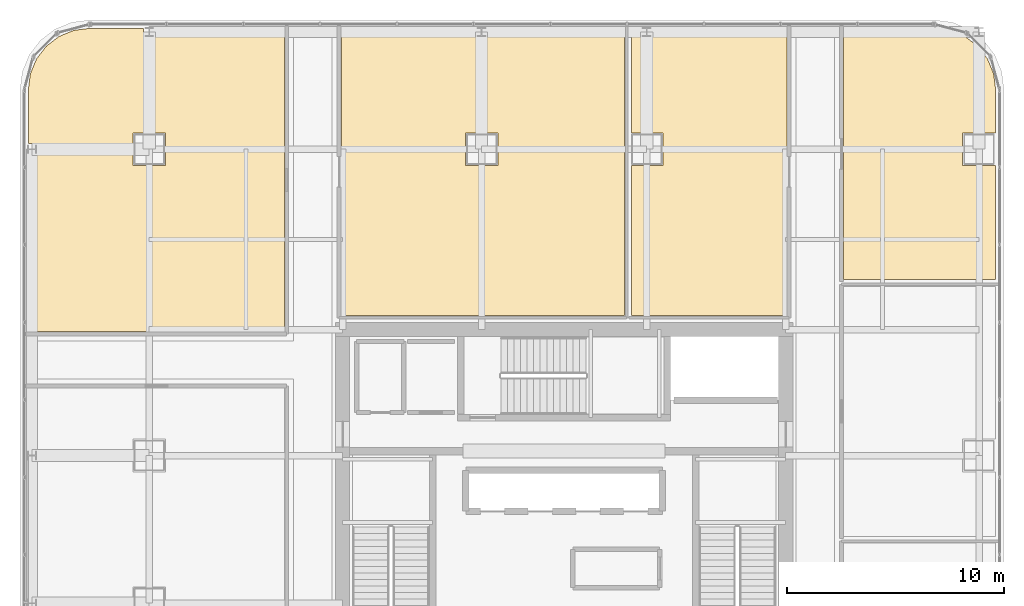
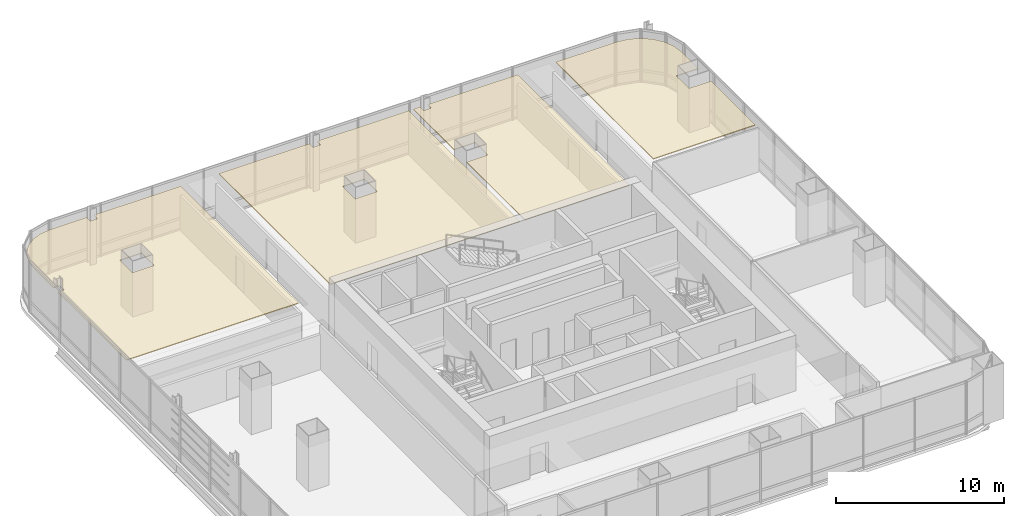
# One storey, part 38 of 38: 4 coverings.
"""IFC4 building model written with IfcOpenShell, lengths in metres."""

from ifc_helpers import new_model, si_unit, direction, frame, origin, place, context, subcontext, project, spatial, polyline, outline, extrude, material, layer, layer_set, type_object, element, save


model = new_model("IFC4")

# Units and contexts
model_context = context("Model", 3, precision=1e-05, world=origin(), true_north=direction((0.0, 1.0)))
body_context = subcontext(model_context, "Body", "Model", "MODEL_VIEW")
ifc_project = project(units=[si_unit("LENGTHUNIT", "METRE"), si_unit("AREAUNIT", "SQUARE_METRE"), si_unit("VOLUMEUNIT", "CUBIC_METRE"), si_unit("PLANEANGLEUNIT", "RADIAN"), si_unit("MASSUNIT", "GRAM", prefix="KILO")], contexts=[model_context])

# Site, building, storey
site_placement = place(None, origin())
site = spatial("IfcSite", under=ifc_project, at=site_placement, CompositionType="ELEMENT")
building_placement = place(site_placement, origin())
building = spatial("IfcBuilding", under=site, at=building_placement, Name="Punatoya Terracotta Tower", CompositionType="ELEMENT")
storey_placement = place(building_placement, frame((0.0, 0.0, 160.050048828125)))
storey = spatial("IfcBuildingStorey", under=building, at=storey_placement, Name="L37", CompositionType="ELEMENT", Elevation=160.050048828125)

# Coverings
ifc_material = material(Name="Acoustic Mineral Fibre Ceiling")
ifc_layer = layer(ifc_material, 0.06005859375)
ifc_layer_set = layer_set([ifc_layer], Name="Acoustic Mineral Fibre Ceiling")
covering_type = type_object("IfcCoveringType", Name="COV-CEIL-60", PredefinedType="CEILING", material=ifc_layer_set)
covering_1_placement = place(storey_placement, frame((0.0, 0.0, 3.219970703125)))
element("IfcCovering", 1, at=covering_1_placement, inside=storey, type_object=covering_type, Name="L37 Wellness Focus Room Acoustic Ceiling", PredefinedType="CEILING", context=body_context, shape_type="SweptSolid", body=[
    extrude(outline(polyline([(-12.8701171875, 23.070068359375), (-18.845458984375, 23.070068359375), (-18.845458984375, 22.637451171875), (-19.3544921875, 22.637451171875), (-19.3544921875, 23.070068359375), (-21.8251953125, 23.070068359375), (-22.5791015625, 22.970703125), (-23.25830078125, 22.689453125), (-23.841796875, 22.24169921875), (-24.289306640625, 21.658203125), (-24.57080078125, 20.97900390625), (-24.669921875, 20.22509765625), (-24.669921875, 17.762451171875), (-24.24560546875, 17.762451171875), (-24.24560546875, 17.237548828125), (-24.669921875, 17.237548828125), (-24.669921875, 9.10009765625), (-12.8701171875, 9.10009765625), (-12.8701171875, 23.070068359375)]), holes=[polyline([(-19.85009765625, 18.25), (-18.35009765625, 18.25), (-18.35009765625, 16.75), (-19.85009765625, 16.75), (-19.85009765625, 18.25)])]), origin(), (0.0, 0.0, 1.0), 0.06005859375),
])
covering_2_placement = place(storey_placement, frame((0.0, 0.0, 3.219970703125)))
element("IfcCovering", 2, at=covering_2_placement, inside=storey, type_object=covering_type, Name="L37 Case-Study Classroom Acoustic Ceiling", PredefinedType="CEILING", context=body_context, shape_type="SweptSolid", body=[
    extrude(outline(polyline([(-3.54541015625, 23.070068359375), (-3.54541015625, 22.637451171875), (-4.054443359375, 22.637451171875), (-4.054443359375, 23.070068359375), (-10.260009765625, 23.070068359375), (-10.260009765625, 9.840087890625), (2.77392578125, 9.840087890625), (2.77392578125, 23.070068359375), (-3.54541015625, 23.070068359375)]), holes=[polyline([(-4.550048828125, 16.75), (-4.550048828125, 18.25), (-3.050048828125, 18.25), (-3.050048828125, 16.75), (-4.550048828125, 16.75)])]), origin(), (0.0, 0.0, 1.0), 0.06005859375),
])
covering_3_placement = place(storey_placement, frame((0.0, 0.0, 3.219970703125)))
element("IfcCovering", 3, at=covering_3_placement, inside=storey, type_object=covering_type, Name="L37 Open-Plan Symposium Colloquium Room Acoustic Ceiling", PredefinedType="CEILING", context=body_context, shape_type="SweptSolid", body=[
    extrude(outline(polyline([(10.260009765625, 9.840087890625), (10.260009765625, 23.070068359375), (4.054443359375, 23.070068359375), (4.054443359375, 22.637451171875), (3.54541015625, 22.637451171875), (3.54541015625, 23.070068359375), (3.093994140625, 23.070068359375), (3.093994140625, 18.25), (4.550048828125, 18.25), (4.550048828125, 16.75), (3.093994140625, 16.75), (3.093994140625, 9.840087890625), (10.260009765625, 9.840087890625)])), origin(), (0.0, 0.0, 1.0), 0.06005859375),
])
covering_4_placement = place(storey_placement, frame((0.0, 0.0, 3.219970703125)))
element("IfcCovering", 4, at=covering_4_placement, inside=storey, type_object=covering_type, Name="L37 Open-Plan Roundtable Conference Room Acoustic Ceiling", PredefinedType="CEILING", context=body_context, shape_type="SweptSolid", body=[
    extrude(outline(polyline([(17.779052734375, 22.970703125), (17.025146484375, 23.070068359375), (12.8701171875, 23.070068359375), (12.8701171875, 11.501953125), (19.8701171875, 11.501953125), (19.8701171875, 16.75), (18.35009765625, 16.75), (18.35009765625, 18.25), (19.8701171875, 18.25), (19.8701171875, 20.22509765625), (19.770751953125, 20.97900390625), (19.489501953125, 21.658203125), (19.041748046875, 22.24169921875), (18.458251953125, 22.689453125), (17.779052734375, 22.970703125)])), origin(), (0.0, 0.0, 1.0), 0.06005859375),
])

save(model, "model.ifc")
